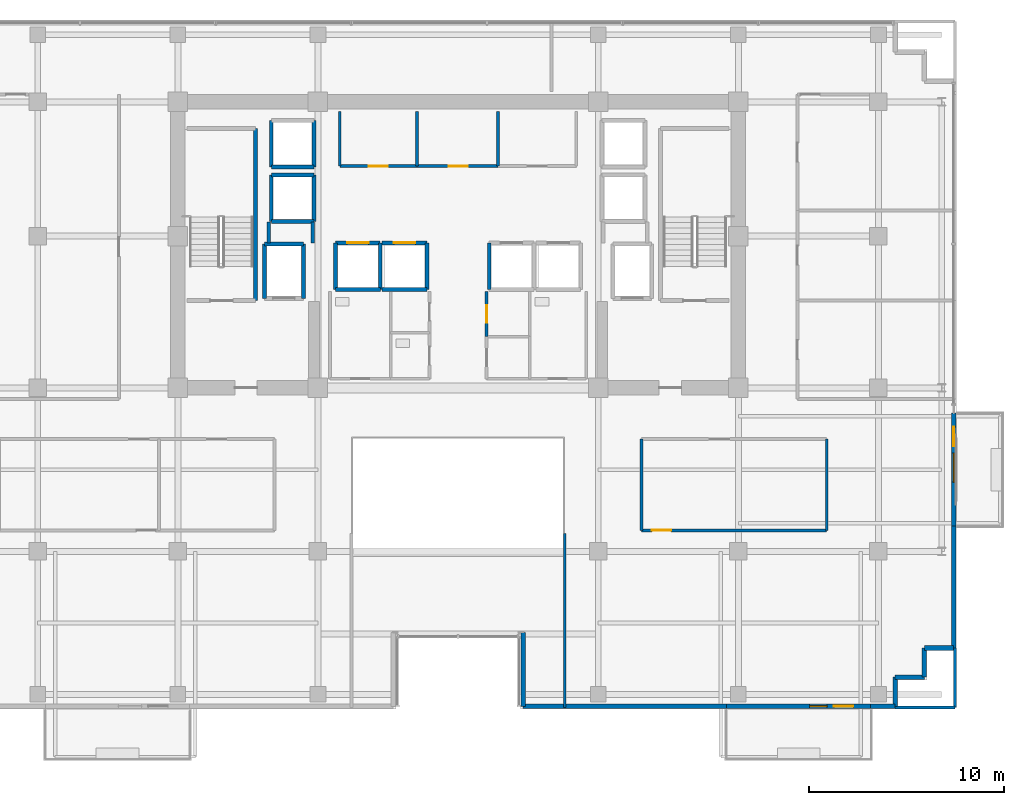
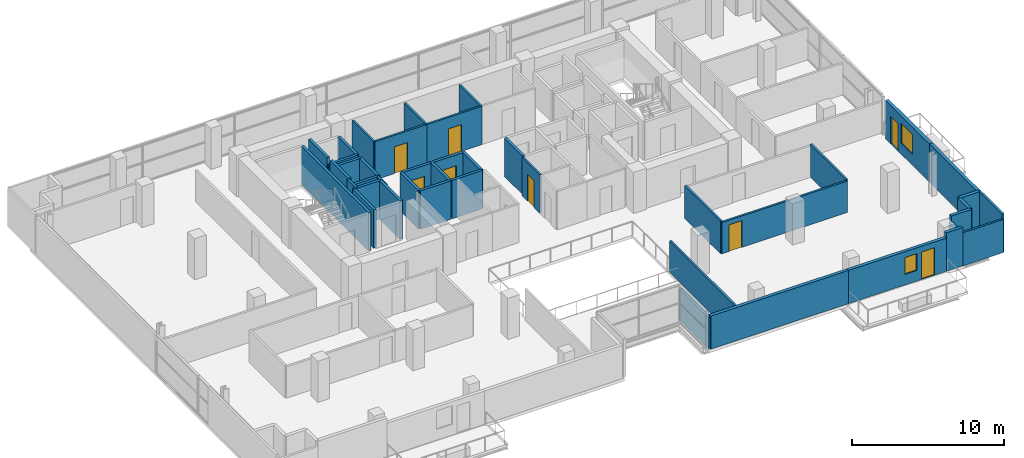
# One storey, part 20 of 25: 43 walls, 8 doors, 2 windows, 10 openings.
"""IFC4 building model written with IfcOpenShell, lengths in metres."""

from ifc_helpers import new_model, si_unit, direction, frame, frame_2d, origin, place, context, subcontext, project, spatial, rectangle, extrude, source, transform, mapped, material, layer, layer_set, type_object, element, fill, save


model = new_model("IFC4")

# Units and contexts
model_context = context("Model", 3, precision=1e-05, world=origin(), true_north=direction((0.0, 1.0)))
body_context = subcontext(model_context, "Body", "Model", "MODEL_VIEW")
ifc_project = project(units=[si_unit("LENGTHUNIT", "METRE"), si_unit("AREAUNIT", "SQUARE_METRE"), si_unit("VOLUMEUNIT", "CUBIC_METRE"), si_unit("PLANEANGLEUNIT", "RADIAN"), si_unit("MASSUNIT", "GRAM", prefix="KILO")], contexts=[model_context])

# Site, building, storey
site_placement = place(None, origin())
site = spatial("IfcSite", under=ifc_project, at=site_placement, CompositionType="ELEMENT")
building_placement = place(site_placement, origin())
building = spatial("IfcBuilding", under=site, at=building_placement, Name="Zarnakvel Exchange Tower", CompositionType="ELEMENT")
storey_placement = place(building_placement, frame((0.0, 0.0, 100.0)))
storey = spatial("IfcBuildingStorey", under=building, at=storey_placement, Name="L27", CompositionType="ELEMENT", Elevation=100.0)

# Wall, openings, door, window
ifc_material_1 = material(Name="Precast concrete C40/50", Category="concrete")
ifc_layer_1 = layer(ifc_material_1, 0.239990234375)
ifc_layer_set_1 = layer_set([ifc_layer_1], Name="Precast concrete C40/50")
wall_type_1 = type_object("IfcWallType", Name="EW-02", PredefinedType="SOLIDWALL", material=ifc_layer_set_1)
wall_1_placement = place(storey_placement, frame((21.199951171875, -17.56005859375, 0.0), z_axis=(0.0, 0.0, 1.0), x_axis=(-1.0, 0.0, 0.0)))
wall_1 = element("IfcWall", 1, at=wall_1_placement, inside=storey, type_object=wall_type_1, Name="L27 Exterior Precast Spandrel Wall EW-BAL-L27-SE (EW-02)", PredefinedType="SOLIDWALL", context=body_context, shape_type="SweptSolid", body=[
    extrude(rectangle(XDim=7.39990234375, YDim=0.239990234375, at=frame_2d((3.699951171875, 0.0))), origin(), (0.0, 0.0, 1.0), 2.6650390625),
])
opening_1_placement = place(wall_1_placement, frame((0.887939453125, 0.0, 0.0)))
opening_1 = element("IfcOpeningElement", 2, at=opening_1_placement, cuts=wall_1, Name="Opening BD-L27-02", PredefinedType="OPENING", context=body_context, shape_type="SweptSolid", body=[
    extrude(rectangle(XDim=1.0, YDim=2.199951171875, at=frame_2d((0.5, 1.10009765625))), frame((0.0, 0.1298828125, 0.0), z_axis=(0.0, -1.0, 0.0), x_axis=(1.0, 0.0, 0.0)), (0.0, 0.0, 1.0), 0.260009765625),
])
opening_2_placement = place(wall_1_placement, frame((2.238037109375, 0.0, 0.85009765625)))
opening_2 = element("IfcOpeningElement", 3, at=opening_2_placement, cuts=wall_1, Name="Opening WN-06", PredefinedType="OPENING", context=body_context, shape_type="SweptSolid", body=[
    extrude(rectangle(XDim=0.89990234375, YDim=1.35009765625, at=frame_2d((0.449951171875, 0.675048828125))), frame((0.0, 0.1298828125, 0.0), z_axis=(0.0, -1.0, 0.0), x_axis=(1.0, 0.0, 0.0)), (0.0, 0.0, 1.0), 0.260009765625),
])
ifc_material_2 = material(Name="Architectural Bronze Anodised Aluminium", Category="aluminium")
door_type_1 = type_object("IfcDoorType", Name="DT-09", OperationType="NOTDEFINED", PredefinedType="DOOR", material=ifc_material_2)
shared_shape_1 = source(origin(), body_context, "Body", "SweptSolid", [
    extrude(rectangle(XDim=1.0, YDim=2.199951171875, at=frame_2d((0.5, 1.10009765625))), frame((0.0, 0.02490234375, 0.0), z_axis=(0.0, -1.0, 0.0), x_axis=(1.0, 0.0, 0.0)), (0.0, 0.0, 1.0), 0.050048828125),
])
door_1_placement = place(opening_1_placement, origin())
door_1 = element("IfcDoor", 4, at=door_1_placement, inside=storey, type_object=door_type_1, Name="L27 Planted Loggia Balcony Door BD-L27-02", OperationType="SINGLE_SWING_RIGHT", OverallHeight=2.199951171875, OverallWidth=1.0, PredefinedType="DOOR", context=body_context, shape_type="MappedRepresentation", body=[
    mapped(shared_shape_1, transform((0.0, 0.0, 0.0), x_axis=(1.0, 0.0, 0.0), y_axis=(0.0, 1.0, 0.0), z_axis=(0.0, 0.0, 1.0), scale=1.0)),
])
fill(opening_1, door_1)
ifc_material_3 = material(Name="Double Low-E Laminated Vision Glass", Category="glass")
window_type_1 = type_object("IfcWindowType", Name="WN-06", PartitioningType="SINGLE_PANEL", PredefinedType="WINDOW", material=ifc_material_3)
shared_shape_2 = source(origin(), body_context, "Body", "SweptSolid", [
    extrude(rectangle(XDim=0.89990234375, YDim=1.35009765625, at=frame_2d((0.449951171875, 0.675048828125))), frame((0.0, 0.030029296875, 0.0), z_axis=(0.0, -1.0, 0.0), x_axis=(1.0, 0.0, 0.0)), (0.0, 0.0, 1.0), 0.06005859375),
])
window_1_placement = place(opening_2_placement, origin())
window_1 = element("IfcWindow", 5, at=window_1_placement, inside=storey, type_object=window_type_1, Name="L27 Loggia Daylight Window (WN-06)", OverallHeight=1.35009765625, OverallWidth=0.89990234375, PartitioningType="SINGLE_PANEL", PredefinedType="WINDOW", context=body_context, shape_type="MappedRepresentation", body=[
    mapped(shared_shape_2, transform((0.0, 0.0, 0.0), x_axis=(1.0, 0.0, 0.0), y_axis=(0.0, 1.0, 0.0), z_axis=(0.0, 0.0, 1.0), scale=1.0)),
])
fill(opening_2, window_1)

wall_2_placement = place(storey_placement, frame((25.4599609375, -2.5, 0.0), z_axis=(0.0, 0.0, 1.0), x_axis=(0.0, -1.0, 0.0)))
wall_2 = element("IfcWall", 6, at=wall_2_placement, inside=storey, type_object=wall_type_1, Name="L27 Exterior Precast Spandrel Wall EW-BAL-L27-E (EW-02)", PredefinedType="SOLIDWALL", context=body_context, shape_type="SweptSolid", body=[
    extrude(rectangle(XDim=5.800048828125, YDim=0.239990234375, at=frame_2d((2.89990234375, 0.0))), origin(), (0.0, 0.0, 1.0), 3.074951171875),
])
opening_3_placement = place(wall_2_placement, frame((0.696044921875, 0.0, 0.0)))
opening_3 = element("IfcOpeningElement", 7, at=opening_3_placement, cuts=wall_2, Name="Opening BD-L27-03", PredefinedType="OPENING", context=body_context, shape_type="SweptSolid", body=[
    extrude(rectangle(XDim=1.0, YDim=2.199951171875, at=frame_2d((0.5, 1.10009765625))), frame((0.0, 0.1298828125, 0.0), z_axis=(0.0, -1.0, 0.0), x_axis=(1.0, 0.0, 0.0)), (0.0, 0.0, 1.0), 0.260009765625),
])
opening_4_placement = place(wall_2_placement, frame((2.0458984375, 0.0, 0.85009765625)))
opening_4 = element("IfcOpeningElement", 8, at=opening_4_placement, cuts=wall_2, Name="Opening WN-03", PredefinedType="OPENING", context=body_context, shape_type="SweptSolid", body=[
    extrude(rectangle(XDim=1.5, YDim=1.60009765625, at=frame_2d((0.75, 0.800048828125))), frame((0.0, 0.1298828125, 0.0), z_axis=(0.0, -1.0, 0.0), x_axis=(1.0, 0.0, 0.0)), (0.0, 0.0, 1.0), 0.260009765625),
])
door_2_placement = place(opening_3_placement, origin())
door_2 = element("IfcDoor", 9, at=door_2_placement, inside=storey, type_object=door_type_1, Name="L27 Planted Loggia Balcony Door BD-L27-03", OperationType="SINGLE_SWING_LEFT", OverallHeight=2.199951171875, OverallWidth=1.0, PredefinedType="DOOR", context=body_context, shape_type="MappedRepresentation", body=[
    mapped(shared_shape_1, transform((0.0, 0.0, 0.0), x_axis=(1.0, 0.0, 0.0), y_axis=(0.0, 1.0, 0.0), z_axis=(0.0, 0.0, 1.0), scale=1.0)),
])
fill(opening_3, door_2)
window_type_2 = type_object("IfcWindowType", Name="WN-03", PartitioningType="SINGLE_PANEL", PredefinedType="WINDOW", material=ifc_material_3)
shared_shape_3 = source(origin(), body_context, "Body", "SweptSolid", [
    extrude(rectangle(XDim=1.5, YDim=1.60009765625, at=frame_2d((0.75, 0.800048828125))), frame((0.0, 0.030029296875, 0.0), z_axis=(0.0, -1.0, 0.0), x_axis=(1.0, 0.0, 0.0)), (0.0, 0.0, 1.0), 0.06005859375),
])
window_2_placement = place(opening_4_placement, origin())
window_2 = element("IfcWindow", 10, at=window_2_placement, inside=storey, type_object=window_type_2, Name="L27 Loggia Daylight Window (WN-03)", OverallHeight=1.60009765625, OverallWidth=1.5, PartitioningType="SINGLE_PANEL", PredefinedType="WINDOW", context=body_context, shape_type="MappedRepresentation", body=[
    mapped(shared_shape_3, transform((0.0, 0.0, 0.0), x_axis=(1.0, 0.0, 0.0), y_axis=(0.0, 1.0, 0.0), z_axis=(0.0, 0.0, 1.0), scale=1.0)),
])
fill(opening_4, window_2)

# Walls
wall_3_placement = place(storey_placement, frame((25.4599609375, -14.56005859375, 0.0), z_axis=(0.0, 0.0, 1.0), x_axis=(0.0, 1.0, 0.0)))
element("IfcWall", 11, at=wall_3_placement, inside=storey, type_object=wall_type_1, Name="L27 Exterior Precast Spandrel Wall EWC-L27-10 (EW-02)", PredefinedType="SOLIDWALL", context=body_context, shape_type="SweptSolid", body=[
    extrude(rectangle(XDim=6.260009765625, YDim=0.239990234375, at=frame_2d((3.1298828125, 0.0))), origin(), (0.0, 0.0, 1.0), 3.074951171875),
])
for number, where, z_axis, x_axis, name in (
    (12, (23.9599609375, -14.56005859375, 0.0), (0.0, 0.0, 1.0), (1.0, 0.0, 0.0), "L27 Exterior Precast Spandrel Wall EWC-L27-11 (EW-02)"),
    (13, (23.9599609375, -16.06005859375, 0.0), (0.0, 0.0, 1.0), (0.0, 1.0, 0.0), "L27 Exterior Precast Spandrel Wall EWC-L27-12 (EW-02)"),
    (14, (22.4599609375, -16.06005859375, 0.0), (0.0, 0.0, 1.0), (1.0, 0.0, 0.0), "L27 Exterior Precast Spandrel Wall EWC-L27-13 (EW-02)"),
):
    element("IfcWall", number, at=place(storey_placement, frame(where, z_axis=z_axis, x_axis=x_axis)), inside=storey, type_object=wall_type_1, Name=name, PredefinedType="SOLIDWALL", context=body_context, shape_type="SweptSolid", body=[
        extrude(rectangle(XDim=1.5, YDim=0.239990234375, at=frame_2d((0.75, 0.0))), origin(), (0.0, 0.0, 1.0), 3.074951171875),
    ])
wall_4_placement = place(storey_placement, frame((22.4599609375, -17.56005859375, 0.0), z_axis=(0.0, 0.0, 1.0), x_axis=(0.0, 1.0, 0.0)))
element("IfcWall", 15, at=wall_4_placement, inside=storey, type_object=wall_type_1, Name="L27 Exterior Precast Spandrel Wall EWC-L27-14 (EW-02)", PredefinedType="SOLIDWALL", context=body_context, shape_type="SweptSolid", body=[
    extrude(rectangle(XDim=1.5, YDim=0.239990234375, at=frame_2d((0.75, 0.0))), origin(), (0.0, 0.0, 1.0), 2.56494140625),
])
wall_5_placement = place(storey_placement, frame((21.199951171875, -17.56005859375, 0.0), z_axis=(0.0, 0.0, 1.0), x_axis=(1.0, 0.0, 0.0)))
element("IfcWall", 16, at=wall_5_placement, inside=storey, type_object=wall_type_1, Name="L27 Exterior Precast Spandrel Wall EWC-L27-15 (EW-02)", PredefinedType="SOLIDWALL", context=body_context, shape_type="SweptSolid", body=[
    extrude(rectangle(XDim=1.260009765625, YDim=0.239990234375, at=frame_2d((0.6298828125, 0.0))), origin(), (0.0, 0.0, 1.0), 3.074951171875),
])
wall_6_placement = place(storey_placement, frame((3.340087890625, -17.56005859375, 0.0), z_axis=(0.0, 0.0, 1.0), x_axis=(1.0, 0.0, 0.0)))
element("IfcWall", 17, at=wall_6_placement, inside=storey, type_object=wall_type_1, Name="L27 Exterior Precast Spandrel Wall EWC-L27-16 (EW-02)", PredefinedType="SOLIDWALL", context=body_context, shape_type="SweptSolid", body=[
    extrude(rectangle(XDim=10.4599609375, YDim=0.239990234375, at=frame_2d((5.22998046875, 0.0))), origin(), (0.0, 0.0, 1.0), 2.6650390625),
])
wall_7_placement = place(storey_placement, frame((3.340087890625, -13.760009765625, 0.0), z_axis=(0.0, 0.0, 1.0), x_axis=(0.0, -1.0, 0.0)))
element("IfcWall", 18, at=wall_7_placement, inside=storey, type_object=wall_type_1, Name="L27 Exterior Precast Spandrel Wall EWC-L27-17 (EW-02)", PredefinedType="SOLIDWALL", context=body_context, shape_type="SweptSolid", body=[
    extrude(rectangle(XDim=3.800048828125, YDim=0.239990234375, at=frame_2d((1.89990234375, 0.0))), origin(), (0.0, 0.0, 1.0), 2.514892578125),
])

# Wall, opening, door
ifc_material_4 = material(Name="Fire-Rated Gypsum Stud Partition", Category="gypsum")
ifc_layer_2 = layer(ifc_material_4, 0.14990234375)
ifc_layer_set_2 = layer_set([ifc_layer_2], Name="Fire-Rated Gypsum Stud Partition")
wall_type_2 = type_object("IfcWallType", Name="PT-01", PredefinedType="PARTITIONING", material=ifc_layer_set_2)
wall_8_placement = place(storey_placement, frame((-2.1201171875, 10.199951171875, 0.0), z_axis=(0.0, 0.0, 1.0), x_axis=(-1.0, 0.0, 0.0)))
wall_8 = element("IfcWall", 19, at=wall_8_placement, inside=storey, type_object=wall_type_2, Name="L27 Partition Wall PWALL-L27-011 (PT-01)", PredefinedType="PARTITIONING", context=body_context, shape_type="SweptSolid", body=[
    extrude(rectangle(XDim=3.9599609375, YDim=0.14990234375, at=frame_2d((1.97998046875, 0.0))), origin(), (0.0, 0.0, 1.0), 3.074951171875),
])
opening_5_placement = place(wall_8_placement, frame((1.489990234375, 0.0, 0.0)))
opening_5 = element("IfcOpeningElement", 20, at=opening_5_placement, cuts=wall_8, Name="Opening D-L27-05", PredefinedType="OPENING", context=body_context, shape_type="SweptSolid", body=[
    extrude(rectangle(XDim=0.97998046875, YDim=2.14990234375, at=frame_2d((0.489990234375, 1.074951171875))), frame((0.0, 0.0849609375, 0.0), z_axis=(0.0, -1.0, 0.0), x_axis=(1.0, 0.0, 0.0)), (0.0, 0.0, 1.0), 0.169921875),
])
ifc_material_5 = material(Name="Timber Acoustic Veneer", Category="wood")
door_type_2 = type_object("IfcDoorType", Name="DT-05", OperationType="NOTDEFINED", PredefinedType="DOOR", material=ifc_material_5)
shared_shape_4 = source(origin(), body_context, "Body", "SweptSolid", [
    extrude(rectangle(XDim=0.97998046875, YDim=2.14990234375, at=frame_2d((0.489990234375, 1.074951171875))), frame((0.0, 0.02490234375, 0.0), z_axis=(0.0, -1.0, 0.0), x_axis=(1.0, 0.0, 0.0)), (0.0, 0.0, 1.0), 0.050048828125),
])
door_3_placement = place(opening_5_placement, origin())
door_3 = element("IfcDoor", 21, at=door_3_placement, inside=storey, type_object=door_type_2, Name="L27 Clearing Records Office Door D-L27-05", OperationType="SINGLE_SWING_RIGHT", OverallHeight=2.14990234375, OverallWidth=0.97998046875, PredefinedType="DOOR", context=body_context, shape_type="MappedRepresentation", body=[
    mapped(shared_shape_4, transform((0.0, 0.0, 0.0), x_axis=(1.0, 0.0, 0.0), y_axis=(0.0, 1.0, 0.0), z_axis=(0.0, 0.0, 1.0), scale=1.0)),
])
fill(opening_5, door_3)

# Walls
for number, where, z_axis, x_axis, name in (
    (22, (-6.080078125, 10.199951171875, 0.0), (0.0, 0.0, 1.0), (0.0, 1.0, 0.0), "L27 Partition Wall PWALL-L27-012 (PT-01)"),
    (23, (-2.1201171875, 13.0, 0.0), (0.0, 0.0, 1.0), (0.0, -1.0, 0.0), "L27 Partition Wall PWALL-L27-013 (PT-01)"),
):
    element("IfcWall", number, at=place(storey_placement, frame(where, z_axis=z_axis, x_axis=x_axis)), inside=storey, type_object=wall_type_2, Name=name, PredefinedType="PARTITIONING", context=body_context, shape_type="SweptSolid", body=[
        extrude(rectangle(XDim=2.800048828125, YDim=0.14990234375, at=frame_2d((1.39990234375, 0.0))), origin(), (0.0, 0.0, 1.0), 3.074951171875),
    ])

# Wall, opening, door
wall_9_placement = place(storey_placement, frame((2.0400390625, 10.199951171875, 0.0), z_axis=(0.0, 0.0, 1.0), x_axis=(-1.0, 0.0, 0.0)))
wall_9 = element("IfcWall", 24, at=wall_9_placement, inside=storey, type_object=wall_type_2, Name="L27 Partition Wall PWALL-L27-014 (PT-01)", PredefinedType="PARTITIONING", context=body_context, shape_type="SweptSolid", body=[
    extrude(rectangle(XDim=4.16015625, YDim=0.14990234375, at=frame_2d((2.080078125, 0.0))), origin(), (0.0, 0.0, 1.0), 3.074951171875),
])
opening_6_placement = place(wall_9_placement, frame((1.550048828125, 0.0, 0.0)))
opening_6 = element("IfcOpeningElement", 25, at=opening_6_placement, cuts=wall_9, Name="Opening D-L27-06", PredefinedType="OPENING", context=body_context, shape_type="SweptSolid", body=[
    extrude(rectangle(XDim=0.97998046875, YDim=2.14990234375, at=frame_2d((0.489990234375, 1.074951171875))), frame((0.0, 0.0849609375, 0.0), z_axis=(0.0, -1.0, 0.0), x_axis=(1.0, 0.0, 0.0)), (0.0, 0.0, 1.0), 0.169921875),
])
door_4_placement = place(opening_6_placement, origin())
door_4 = element("IfcDoor", 26, at=door_4_placement, inside=storey, type_object=door_type_2, Name="L27 Brokerage Filing Room Door D-L27-06", OperationType="SINGLE_SWING_LEFT", OverallHeight=2.14990234375, OverallWidth=0.97998046875, PredefinedType="DOOR", context=body_context, shape_type="MappedRepresentation", body=[
    mapped(shared_shape_4, transform((0.0, 0.0, 0.0), x_axis=(1.0, 0.0, 0.0), y_axis=(0.0, 1.0, 0.0), z_axis=(0.0, 0.0, 1.0), scale=1.0)),
])
fill(opening_6, door_4)

# Wall
wall_10_placement = place(storey_placement, frame((2.0400390625, 13.0, 0.0), z_axis=(0.0, 0.0, 1.0), x_axis=(0.0, -1.0, 0.0)))
element("IfcWall", 27, at=wall_10_placement, inside=storey, type_object=wall_type_2, Name="L27 Partition Wall PWALL-L27-015 (PT-01)", PredefinedType="PARTITIONING", context=body_context, shape_type="SweptSolid", body=[
    extrude(rectangle(XDim=2.800048828125, YDim=0.14990234375, at=frame_2d((1.39990234375, 0.0))), origin(), (0.0, 0.0, 1.0), 3.074951171875),
])

# Wall, opening, door
wall_11_placement = place(storey_placement, frame((1.469970703125, 1.429931640625, 0.0), z_axis=(0.0, 0.0, 1.0), x_axis=(0.0, 1.0, 0.0)))
wall_11 = element("IfcWall", 28, at=wall_11_placement, inside=storey, type_object=wall_type_2, Name="L27 Partition Wall PWALL-L27-029 (PT-01)", PredefinedType="PARTITIONING", context=body_context, shape_type="SweptSolid", body=[
    extrude(rectangle(XDim=2.330078125, YDim=0.14990234375, at=frame_2d((1.1650390625, 0.0))), origin(), (0.0, 0.0, 1.0), 3.074951171875),
])
opening_7_placement = place(wall_11_placement, frame((0.72998046875, 0.0, 0.0)))
opening_7 = element("IfcOpeningElement", 29, at=opening_7_placement, cuts=wall_11, Name="Opening D-L27-12", PredefinedType="OPENING", context=body_context, shape_type="SweptSolid", body=[
    extrude(rectangle(XDim=0.8798828125, YDim=2.14990234375, at=frame_2d((0.43994140625, 1.074951171875))), frame((0.0, 0.0849609375, 0.0), z_axis=(0.0, -1.0, 0.0), x_axis=(1.0, 0.0, 0.0)), (0.0, 0.0, 1.0), 0.169921875),
])
shared_shape_5 = source(origin(), body_context, "Body", "SweptSolid", [
    extrude(rectangle(XDim=0.8798828125, YDim=2.14990234375, at=frame_2d((0.43994140625, 1.074951171875))), frame((0.0, 0.02490234375, 0.0), z_axis=(0.0, -1.0, 0.0), x_axis=(1.0, 0.0, 0.0)), (0.0, 0.0, 1.0), 0.050048828125),
])
door_5_placement = place(opening_7_placement, origin())
door_5 = element("IfcDoor", 30, at=door_5_placement, inside=storey, type_object=door_type_2, Name="L27 Stationery Store Door D-L27-12", OperationType="SINGLE_SWING_LEFT", OverallHeight=2.14990234375, OverallWidth=0.8798828125, PredefinedType="DOOR", context=body_context, shape_type="MappedRepresentation", body=[
    mapped(shared_shape_5, transform((0.0, 0.0, 0.0), x_axis=(1.0, 0.0, 0.0), y_axis=(0.0, 1.0, 0.0), z_axis=(0.0, 0.0, 1.0), scale=1.0)),
])
fill(opening_7, door_5)

wall_12_placement = place(storey_placement, frame((18.941162109375, -8.52001953125, 0.0), z_axis=(0.0, 0.0, 1.0), x_axis=(-1.0, 0.0, 0.0)))
wall_12 = element("IfcWall", 31, at=wall_12_placement, inside=storey, type_object=wall_type_2, Name="L27 Partition Wall PWALL-L27-043 (PT-01)", PredefinedType="PARTITIONING", context=body_context, shape_type="SweptSolid", body=[
    extrude(rectangle(XDim=9.51123046875, YDim=0.14990234375, at=frame_2d((4.755615234375, 0.0))), origin(), (0.0, 0.0, 1.0), 2.514892578125),
])
opening_8_placement = place(wall_12_placement, frame((8.001220703125, 0.0, 0.0)))
opening_8 = element("IfcOpeningElement", 32, at=opening_8_placement, cuts=wall_12, Name="Opening D-L27-18", PredefinedType="OPENING", context=body_context, shape_type="SweptSolid", body=[
    extrude(rectangle(XDim=0.97998046875, YDim=2.14990234375, at=frame_2d((0.489990234375, 1.074951171875))), frame((0.0, 0.0849609375, 0.0), z_axis=(0.0, -1.0, 0.0), x_axis=(1.0, 0.0, 0.0)), (0.0, 0.0, 1.0), 0.169921875),
])
door_6_placement = place(opening_8_placement, origin())
door_6 = element("IfcDoor", 33, at=door_6_placement, inside=storey, type_object=door_type_2, Name="L27 Clearing Office Door D-L27-18", OperationType="SINGLE_SWING_LEFT", OverallHeight=2.14990234375, OverallWidth=0.97998046875, PredefinedType="DOOR", context=body_context, shape_type="MappedRepresentation", body=[
    mapped(shared_shape_4, transform((0.0, 0.0, 0.0), x_axis=(1.0, 0.0, 0.0), y_axis=(0.0, 1.0, 0.0), z_axis=(0.0, 0.0, 1.0), scale=1.0)),
])
fill(opening_8, door_6)

# Walls
for number, where, z_axis, x_axis, name in (
    (34, (9.429931640625, -8.52001953125, 0.0), (0.0, 0.0, 1.0), (0.0, 1.0, 0.0), "L27 Partition Wall PWALL-L27-045 (PT-01)"),
    (35, (18.941162109375, -3.830078125, 0.0), (0.0, 0.0, 1.0), (0.0, -1.0, 0.0), "L27 Partition Wall PWALL-L27-046 (PT-01)"),
):
    element("IfcWall", number, at=place(storey_placement, frame(where, z_axis=z_axis, x_axis=x_axis)), inside=storey, type_object=wall_type_2, Name=name, PredefinedType="PARTITIONING", context=body_context, shape_type="SweptSolid", body=[
        extrude(rectangle(XDim=4.68994140625, YDim=0.14990234375, at=frame_2d((2.344970703125, 0.0))), origin(), (0.0, 0.0, 1.0), 2.614990234375),
    ])
wall_13_placement = place(storey_placement, frame((25.530029296875, -17.6298828125, 0.0), z_axis=(0.0, 0.0, 1.0), x_axis=(-1.0, 0.0, 0.0)))
element("IfcWall", 36, at=wall_13_placement, inside=storey, type_object=wall_type_2, Name="L27 Partition Wall PWALL-L27-047 (PT-01)", PredefinedType="PARTITIONING", context=body_context, shape_type="SweptSolid", body=[
    extrude(rectangle(XDim=3.070068359375, YDim=0.14990234375, at=frame_2d((1.53515625, 0.0))), origin(), (0.0, 0.0, 1.0), 2.6650390625),
])
wall_14_placement = place(storey_placement, frame((5.47998046875, -17.6298828125, 0.0), z_axis=(0.0, 0.0, 1.0), x_axis=(0.0, 1.0, 0.0)))
element("IfcWall", 37, at=wall_14_placement, inside=storey, type_object=wall_type_2, Name="L27 Partition Wall PWALL-L27-048 (PT-01)", PredefinedType="PARTITIONING", context=body_context, shape_type="SweptSolid", body=[
    extrude(rectangle(XDim=8.949951171875, YDim=0.14990234375, at=frame_2d((4.47509765625, 0.0))), origin(), (0.0, 0.0, 1.0), 2.514892578125),
])
wall_15_placement = place(storey_placement, frame((25.530029296875, -14.56005859375, 0.0), z_axis=(0.0, 0.0, 1.0), x_axis=(0.0, -1.0, 0.0)))
element("IfcWall", 38, at=wall_15_placement, inside=storey, type_object=wall_type_2, Name="L27 Partition Wall PWALL-L27-049 (PT-01)", PredefinedType="PARTITIONING", context=body_context, shape_type="SweptSolid", body=[
    extrude(rectangle(XDim=3.06982421875, YDim=0.14990234375, at=frame_2d((1.534912109375, 0.0))), origin(), (0.0, 0.0, 1.0), 3.074951171875),
])
ifc_layer_3 = layer(ifc_material_4, 0.179931640625)
ifc_layer_set_3 = layer_set([ifc_layer_3], Name="Fire-Rated Gypsum Stud Partition")
wall_type_3 = type_object("IfcWallType", Name="PT-02", PredefinedType="PARTITIONING", material=ifc_layer_set_3)
wall_16_placement = place(storey_placement, frame((-9.72998046875, 6.239990234375, 0.0), z_axis=(0.0, 0.0, 1.0), x_axis=(0.0, 1.0, 0.0)))
element("IfcWall", 39, at=wall_16_placement, inside=storey, type_object=wall_type_3, Name="L27 Partition Wall PWALL-L27-007 (PT-02)", PredefinedType="PARTITIONING", context=body_context, shape_type="SweptSolid", body=[
    extrude(rectangle(XDim=1.090087890625, YDim=0.179931640625, at=frame_2d((0.544921875, 0.0))), origin(), (0.0, 0.0, 1.0), 3.074951171875),
])
wall_17_placement = place(storey_placement, frame((-7.469970703125, 7.330078125, 0.0), z_axis=(0.0, 0.0, 1.0), x_axis=(0.0, -1.0, 0.0)))
element("IfcWall", 40, at=wall_17_placement, inside=storey, type_object=wall_type_3, Name="L27 Partition Wall PWALL-L27-008 (PT-02)", PredefinedType="PARTITIONING", context=body_context, shape_type="SweptSolid", body=[
    extrude(rectangle(XDim=1.090087890625, YDim=0.179931640625, at=frame_2d((0.544921875, 0.0))), origin(), (0.0, 0.0, 1.0), 2.514892578125),
])
ifc_material_6 = material(Name="Concrete C40/50", Category="concrete")
ifc_layer_4 = layer(ifc_material_6, 0.199951171875)
ifc_layer_set_4 = layer_set([ifc_layer_4], Name="Concrete C40/50")
wall_type_4 = type_object("IfcWallType", Name="SW-01", PredefinedType="SOLIDWALL", material=ifc_layer_set_4)
wall_18_placement = place(storey_placement, frame((-9.949951171875, 6.199951171875, 0.0), z_axis=(0.0, 0.0, 1.0), x_axis=(1.0, 0.0, 0.0)))
element("IfcWall", 41, at=wall_18_placement, inside=storey, type_object=wall_type_4, Name="L27 FL-01 Hoistway Wall North", PredefinedType="SOLIDWALL", context=body_context, shape_type="SweptSolid", body=[
    extrude(rectangle(XDim=2.0, YDim=0.199951171875, at=frame_2d((1.0, 0.0))), origin(), (0.0, 0.0, 1.0), 3.074951171875),
])
for number, where, z_axis, x_axis, name in (
    (42, (-9.949951171875, 3.39990234375, 0.0), (0.0, 0.0, 1.0), (0.0, 1.0, 0.0), "L27 FL-01 Hoistway Wall West"),
    (43, (-7.949951171875, 6.199951171875, 0.0), (0.0, 0.0, 1.0), (0.0, -1.0, 0.0), "L27 FL-01 Hoistway Wall East"),
):
    element("IfcWall", number, at=place(storey_placement, frame(where, z_axis=z_axis, x_axis=x_axis)), inside=storey, type_object=wall_type_4, Name=name, PredefinedType="SOLIDWALL", context=body_context, shape_type="SweptSolid", body=[
        extrude(rectangle(XDim=2.800048828125, YDim=0.199951171875, at=frame_2d((1.39990234375, 0.0))), origin(), (0.0, 0.0, 1.0), 3.074951171875),
    ])
wall_19_placement = place(storey_placement, frame((-4.0, 3.85009765625, 0.0), z_axis=(0.0, 0.0, 1.0), x_axis=(-1.0, 0.0, 0.0)))
element("IfcWall", 44, at=wall_19_placement, inside=storey, type_object=wall_type_4, Name="L27 PL-05 Hoistway Wall South", PredefinedType="SOLIDWALL", context=body_context, shape_type="SweptSolid", body=[
    extrude(rectangle(XDim=2.300048828125, YDim=0.199951171875, at=frame_2d((1.14990234375, 0.0))), origin(), (0.0, 0.0, 1.0), 3.074951171875),
])

# Wall, opening, door
wall_20_placement = place(storey_placement, frame((-6.300048828125, 6.25, 0.0), z_axis=(0.0, 0.0, 1.0), x_axis=(1.0, 0.0, 0.0)))
wall_20 = element("IfcWall", 45, at=wall_20_placement, inside=storey, type_object=wall_type_4, Name="L27 PL-05 Hoistway Wall North", PredefinedType="SOLIDWALL", context=body_context, shape_type="SweptSolid", body=[
    extrude(rectangle(XDim=2.300048828125, YDim=0.199951171875, at=frame_2d((1.14990234375, 0.0))), origin(), (0.0, 0.0, 1.0), 3.074951171875),
])
opening_9_placement = place(wall_20_placement, frame((0.60009765625, 0.0, 0.0)))
opening_9 = element("IfcOpeningElement", 46, at=opening_9_placement, cuts=wall_20, Name="Opening LD-PL-05-L27", PredefinedType="OPENING", context=body_context, shape_type="SweptSolid", body=[
    extrude(rectangle(XDim=1.10009765625, YDim=2.199951171875, at=frame_2d((0.550048828125, 1.10009765625))), frame((0.0, 0.10986328125, 0.0), z_axis=(0.0, -1.0, 0.0), x_axis=(1.0, 0.0, 0.0)), (0.0, 0.0, 1.0), 0.219970703125),
])
door_type_3 = type_object("IfcDoorType", Name="LDT-02", OperationType="NOTDEFINED", PredefinedType="DOOR", material=ifc_material_2)
shared_shape_6 = source(origin(), body_context, "Body", "SweptSolid", [
    extrude(rectangle(XDim=1.10009765625, YDim=2.199951171875, at=frame_2d((0.550048828125, 1.10009765625))), frame((0.0, 0.02490234375, 0.0), z_axis=(0.0, -1.0, 0.0), x_axis=(1.0, 0.0, 0.0)), (0.0, 0.0, 1.0), 0.050048828125),
])
door_7_placement = place(opening_9_placement, origin())
door_7 = element("IfcDoor", 47, at=door_7_placement, inside=storey, type_object=door_type_3, Name="L27 PL-05 Lift Landing Door LD-PL-05-L27", OperationType="DOUBLE_DOOR_SLIDING", OverallHeight=2.199951171875, OverallWidth=1.10009765625, PredefinedType="DOOR", context=body_context, shape_type="MappedRepresentation", body=[
    mapped(shared_shape_6, transform((0.0, 0.0, 0.0), x_axis=(1.0, 0.0, 0.0), y_axis=(0.0, 1.0, 0.0), z_axis=(0.0, 0.0, 1.0), scale=1.0)),
])
fill(opening_9, door_7)

# Walls
for number, where, z_axis, x_axis, name in (
    (48, (-6.300048828125, 3.85009765625, 0.0), (0.0, 0.0, 1.0), (0.0, 1.0, 0.0), "L27 PL-05 Hoistway Wall West"),
    (49, (-4.0, 6.25, 0.0), (0.0, 0.0, 1.0), (0.0, -1.0, 0.0), "L27 PL-05 Hoistway Wall East"),
):
    element("IfcWall", number, at=place(storey_placement, frame(where, z_axis=z_axis, x_axis=x_axis)), inside=storey, type_object=wall_type_4, Name=name, PredefinedType="SOLIDWALL", context=body_context, shape_type="SweptSolid", body=[
        extrude(rectangle(XDim=2.39990234375, YDim=0.199951171875, at=frame_2d((1.199951171875, 0.0))), origin(), (0.0, 0.0, 1.0), 3.074951171875),
    ])
wall_21_placement = place(storey_placement, frame((-1.60009765625, 3.85009765625, 0.0), z_axis=(0.0, 0.0, 1.0), x_axis=(-1.0, 0.0, 0.0)))
element("IfcWall", 50, at=wall_21_placement, inside=storey, type_object=wall_type_4, Name="L27 PL-06 Hoistway Wall South", PredefinedType="SOLIDWALL", context=body_context, shape_type="SweptSolid", body=[
    extrude(rectangle(XDim=2.2998046875, YDim=0.199951171875, at=frame_2d((1.14990234375, 0.0))), origin(), (0.0, 0.0, 1.0), 3.074951171875),
])

# Wall, opening, door
wall_22_placement = place(storey_placement, frame((-3.89990234375, 6.25, 0.0), z_axis=(0.0, 0.0, 1.0), x_axis=(1.0, 0.0, 0.0)))
wall_22 = element("IfcWall", 51, at=wall_22_placement, inside=storey, type_object=wall_type_4, Name="L27 PL-06 Hoistway Wall North", PredefinedType="SOLIDWALL", context=body_context, shape_type="SweptSolid", body=[
    extrude(rectangle(XDim=2.2998046875, YDim=0.199951171875, at=frame_2d((1.14990234375, 0.0))), origin(), (0.0, 0.0, 1.0), 3.074951171875),
])
opening_10_placement = place(wall_22_placement, frame((0.60009765625, 0.0, 0.0)))
opening_10 = element("IfcOpeningElement", 52, at=opening_10_placement, cuts=wall_22, Name="Opening LD-PL-06-L27", PredefinedType="OPENING", context=body_context, shape_type="SweptSolid", body=[
    extrude(rectangle(XDim=1.10009765625, YDim=2.199951171875, at=frame_2d((0.550048828125, 1.10009765625))), frame((0.0, 0.10986328125, 0.0), z_axis=(0.0, -1.0, 0.0), x_axis=(1.0, 0.0, 0.0)), (0.0, 0.0, 1.0), 0.219970703125),
])
door_8_placement = place(opening_10_placement, origin())
door_8 = element("IfcDoor", 53, at=door_8_placement, inside=storey, type_object=door_type_3, Name="L27 PL-06 Lift Landing Door LD-PL-06-L27", OperationType="DOUBLE_DOOR_SLIDING", OverallHeight=2.199951171875, OverallWidth=1.10009765625, PredefinedType="DOOR", context=body_context, shape_type="MappedRepresentation", body=[
    mapped(shared_shape_6, transform((0.0, 0.0, 0.0), x_axis=(1.0, 0.0, 0.0), y_axis=(0.0, 1.0, 0.0), z_axis=(0.0, 0.0, 1.0), scale=1.0)),
])
fill(opening_10, door_8)

# Walls
for number, where, z_axis, x_axis, name in (
    (54, (-1.60009765625, 6.25, 0.0), (0.0, 0.0, 1.0), (0.0, -1.0, 0.0), "L27 PL-06 Hoistway Wall East"),
    (55, (1.60009765625, 3.85009765625, 0.0), (0.0, 0.0, 1.0), (0.0, 1.0, 0.0), "L27 PL-07 Hoistway Wall West"),
):
    element("IfcWall", number, at=place(storey_placement, frame(where, z_axis=z_axis, x_axis=x_axis)), inside=storey, type_object=wall_type_4, Name=name, PredefinedType="SOLIDWALL", context=body_context, shape_type="SweptSolid", body=[
        extrude(rectangle(XDim=2.39990234375, YDim=0.199951171875, at=frame_2d((1.199951171875, 0.0))), origin(), (0.0, 0.0, 1.0), 3.074951171875),
    ])
for number, where, z_axis, x_axis, name in (
    (56, (-7.39990234375, 7.35009765625, 0.0), (0.0, 0.0, 1.0), (-1.0, 0.0, 0.0), "L27 PL-09 Hoistway Wall South"),
    (57, (-9.60009765625, 9.75, 0.0), (0.0, 0.0, 1.0), (1.0, 0.0, 0.0), "L27 PL-09 Hoistway Wall North"),
):
    element("IfcWall", number, at=place(storey_placement, frame(where, z_axis=z_axis, x_axis=x_axis)), inside=storey, type_object=wall_type_4, Name=name, PredefinedType="SOLIDWALL", context=body_context, shape_type="SweptSolid", body=[
        extrude(rectangle(XDim=2.2001953125, YDim=0.199951171875, at=frame_2d((1.10009765625, 0.0))), origin(), (0.0, 0.0, 1.0), 2.514892578125),
    ])
wall_23_placement = place(storey_placement, frame((-9.60009765625, 7.35009765625, 0.0), z_axis=(0.0, 0.0, 1.0), x_axis=(0.0, 1.0, 0.0)))
element("IfcWall", 58, at=wall_23_placement, inside=storey, type_object=wall_type_4, Name="L27 PL-09 Hoistway Wall West", PredefinedType="SOLIDWALL", context=body_context, shape_type="SweptSolid", body=[
    extrude(rectangle(XDim=2.39990234375, YDim=0.199951171875, at=frame_2d((1.199951171875, 0.0))), origin(), (0.0, 0.0, 1.0), 3.074951171875),
])
wall_24_placement = place(storey_placement, frame((-7.39990234375, 9.75, 0.0), z_axis=(0.0, 0.0, 1.0), x_axis=(0.0, -1.0, 0.0)))
element("IfcWall", 59, at=wall_24_placement, inside=storey, type_object=wall_type_4, Name="L27 PL-09 Hoistway Wall East", PredefinedType="SOLIDWALL", context=body_context, shape_type="SweptSolid", body=[
    extrude(rectangle(XDim=2.39990234375, YDim=0.199951171875, at=frame_2d((1.199951171875, 0.0))), origin(), (0.0, 0.0, 1.0), 2.514892578125),
])
wall_25_placement = place(storey_placement, frame((-7.39990234375, 10.14990234375, 0.0), z_axis=(0.0, 0.0, 1.0), x_axis=(-1.0, 0.0, 0.0)))
element("IfcWall", 60, at=wall_25_placement, inside=storey, type_object=wall_type_4, Name="L27 PL-10 Hoistway Wall South", PredefinedType="SOLIDWALL", context=body_context, shape_type="SweptSolid", body=[
    extrude(rectangle(XDim=2.2001953125, YDim=0.199951171875, at=frame_2d((1.10009765625, 0.0))), origin(), (0.0, 0.0, 1.0), 2.514892578125),
])
wall_26_placement = place(storey_placement, frame((-9.60009765625, 10.14990234375, 0.0), z_axis=(0.0, 0.0, 1.0), x_axis=(0.0, 1.0, 0.0)))
element("IfcWall", 61, at=wall_26_placement, inside=storey, type_object=wall_type_4, Name="L27 PL-10 Hoistway Wall West", PredefinedType="SOLIDWALL", context=body_context, shape_type="SweptSolid", body=[
    extrude(rectangle(XDim=2.400146484375, YDim=0.199951171875, at=frame_2d((1.2001953125, 0.0))), origin(), (0.0, 0.0, 1.0), 3.074951171875),
])
wall_27_placement = place(storey_placement, frame((-7.39990234375, 12.550048828125, 0.0), z_axis=(0.0, 0.0, 1.0), x_axis=(0.0, -1.0, 0.0)))
element("IfcWall", 62, at=wall_27_placement, inside=storey, type_object=wall_type_4, Name="L27 PL-10 Hoistway Wall East", PredefinedType="SOLIDWALL", context=body_context, shape_type="SweptSolid", body=[
    extrude(rectangle(XDim=2.400146484375, YDim=0.199951171875, at=frame_2d((1.2001953125, 0.0))), origin(), (0.0, 0.0, 1.0), 2.514892578125),
])
ifc_layer_5 = layer(ifc_material_6, 0.199951171875)
ifc_layer_set_5 = layer_set([ifc_layer_5], Name="Concrete C40/50")
wall_type_5 = type_object("IfcWallType", Name="SW-02", PredefinedType="SOLIDWALL", material=ifc_layer_set_5)
wall_28_placement = place(storey_placement, frame((-10.409912109375, 12.1298828125, 0.0), z_axis=(0.0, 0.0, 1.0), x_axis=(0.0, -1.0, 0.0)))
element("IfcWall", 63, at=wall_28_placement, inside=storey, type_object=wall_type_5, Name="L27 Stairwell Core Wall PWALL-L27-003 (SW-02)", PredefinedType="SOLIDWALL", context=body_context, shape_type="SweptSolid", body=[
    extrude(rectangle(XDim=8.83984375, YDim=0.199951171875, at=frame_2d((4.419921875, 0.0))), origin(), (0.0, 0.0, 1.0), 3.074951171875),
])

save(model, "model.ifc")
